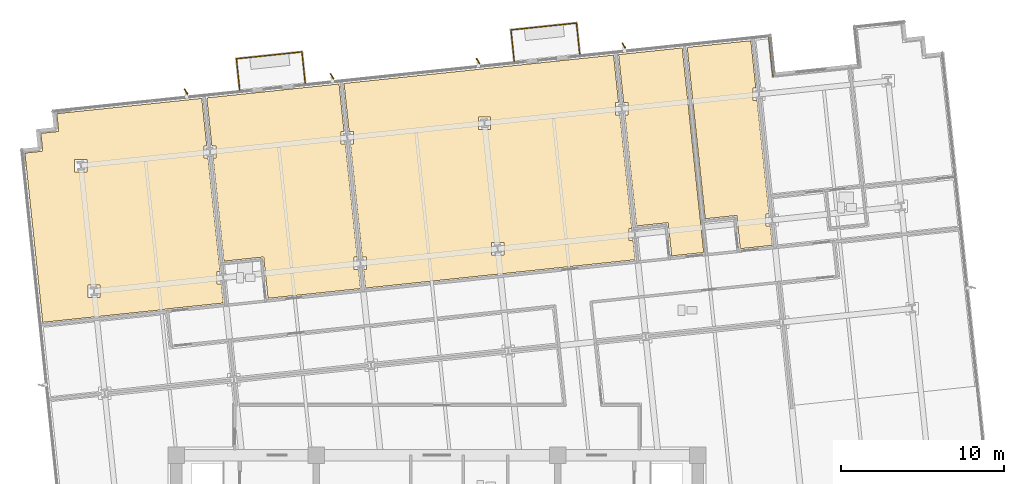
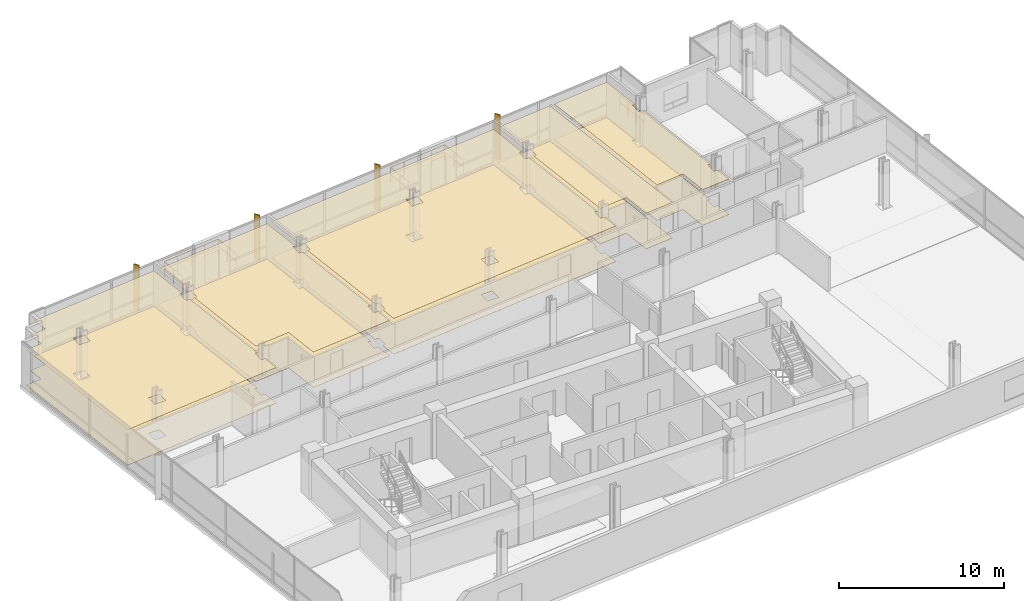
# One storey, part 19 of 21: 10 coverings, 7 railings, 4 shading devices.
"""IFC4 building model written with IfcOpenShell, lengths in metres."""

from ifc_helpers import new_model, si_unit, direction, frame, origin, origin_2d, place, context, subcontext, project, spatial, polyline, rectangle, circle, outline, extrude, material, layer, layer_set, type_object, element, save


model = new_model("IFC4")

# Units and contexts
model_context = context("Model", 3, precision=1e-05, world=origin(), true_north=direction((0.0, 1.0)))
body_context = subcontext(model_context, "Body", "Model", "MODEL_VIEW")
ifc_project = project(units=[si_unit("LENGTHUNIT", "METRE"), si_unit("AREAUNIT", "SQUARE_METRE"), si_unit("VOLUMEUNIT", "CUBIC_METRE"), si_unit("PLANEANGLEUNIT", "RADIAN"), si_unit("MASSUNIT", "GRAM", prefix="KILO")], contexts=[model_context])

# Site, building, storey
site_placement = place(None, origin())
site = spatial("IfcSite", under=ifc_project, at=site_placement, CompositionType="ELEMENT")
building_placement = place(site_placement, origin())
building = spatial("IfcBuilding", under=site, at=building_placement, Name="Solmavex Isthmus Hotel", CompositionType="ELEMENT")
storey_placement = place(building_placement, frame((0.0, 0.0, 113.25)))
storey = spatial("IfcBuildingStorey", under=building, at=storey_placement, Name="L30", CompositionType="ELEMENT", Elevation=113.25)

# Coverings
ifc_material_1 = material(Name="Gypsum plasterboard lining", Category="gypsum")
ifc_layer_1 = layer(ifc_material_1, 0.030029296875)
ifc_layer_set_1 = layer_set([ifc_layer_1], Name="Gypsum plasterboard lining")
covering_type_1 = type_object("IfcCoveringType", Name="COV-CEIL-GYP", PredefinedType="CEILING", material=ifc_layer_set_1)
covering_1_placement = place(storey_placement, frame((0.0, 0.0, 2.6201171875)))
element("IfcCovering", 1, at=covering_1_placement, inside=storey, type_object=covering_type_1, Name="Suspended Acoustic Ceiling L30-RM01", PredefinedType="CEILING", context=body_context, shape_type="SweptSolid", body=[
    extrude(outline(polyline([(-16.688232421875, 6.43505859375), (-16.690185546875, 6.455078125), (-13.10986328125, 6.831298828125), (-13.23291015625, 8.002197265625), (-13.4970703125, 8.002197265625), (-13.4970703125, 8.76220703125), (-13.31298828125, 8.76220703125), (-14.043212890625, 15.711669921875), (-14.307373046875, 15.711669921875), (-14.307373046875, 16.4716796875), (-14.123291015625, 16.4716796875), (-14.42919921875, 19.38232421875), (-22.49755859375, 18.5341796875), (-23.318115234375, 18.447998046875), (-23.203125, 17.35400390625), (-24.297119140625, 17.239013671875), (-24.18212890625, 16.14501953125), (-25.276123046875, 16.030029296875), (-25.18994140625, 15.20947265625), (-24.184814453125, 5.647216796875), (-16.688232421875, 6.43505859375)]), holes=[polyline([(-21.42138671875, 7.169189453125), (-21.42138671875, 7.92919921875), (-20.661376953125, 7.92919921875), (-20.661376953125, 7.169189453125), (-21.42138671875, 7.169189453125)]), polyline([(-22.231689453125, 14.878662109375), (-22.231689453125, 15.638671875), (-21.4716796875, 15.638671875), (-21.4716796875, 14.878662109375), (-22.231689453125, 14.878662109375)])]), origin(), (0.0, 0.0, 1.0), 0.02978515625),
])
covering_2_placement = place(storey_placement, frame((0.0, 0.0, 2.6201171875)))
element("IfcCovering", 2, at=covering_2_placement, inside=storey, type_object=covering_type_1, Name="Suspended Acoustic Ceiling L30-RM02", PredefinedType="CEILING", context=body_context, shape_type="SweptSolid", body=[
    extrude(outline(polyline([(-13.8115234375, 16.4716796875), (-13.54736328125, 16.4716796875), (-13.54736328125, 15.711669921875), (-13.731689453125, 15.711669921875), (-13.068115234375, 9.39990234375), (-10.631591796875, 9.656005859375), (-10.364990234375, 7.119873046875), (-4.6904296875, 7.71630859375), (-4.8134765625, 8.886962890625), (-5.077392578125, 8.886962890625), (-5.077392578125, 9.64697265625), (-4.893310546875, 9.64697265625), (-5.623779296875, 16.5966796875), (-5.8876953125, 16.5966796875), (-5.8876953125, 17.356689453125), (-5.70361328125, 17.356689453125), (-6.009521484375, 20.26708984375), (-14.120849609375, 19.41455078125), (-13.927978515625, 17.5810546875), (-13.8115234375, 16.4716796875)])), origin(), (0.0, 0.0, 1.0), 0.02978515625),
])
covering_3_placement = place(storey_placement, frame((0.0, 0.0, 2.6201171875)))
element("IfcCovering", 3, at=covering_3_placement, inside=storey, type_object=covering_type_1, Name="Suspended Acoustic Ceiling L30-RM03", PredefinedType="CEILING", context=body_context, shape_type="SweptSolid", body=[
    extrude(outline(polyline([(-4.58154296875, 9.64697265625), (-4.3173828125, 9.64697265625), (-4.3173828125, 8.886962890625), (-4.501708984375, 8.886962890625), (-4.382080078125, 7.748779296875), (6.9794921875, 8.94287109375), (9.28173828125, 9.184814453125), (12.14892578125, 9.486083984375), (12.02587890625, 10.656982421875), (11.76171875, 10.656982421875), (11.76171875, 11.4169921875), (11.946044921875, 11.4169921875), (11.215576171875, 18.366455078125), (10.951416015625, 18.366455078125), (10.951416015625, 19.12646484375), (11.1357421875, 19.12646484375), (10.829833984375, 22.037109375), (-5.701171875, 20.299560546875), (-5.391845703125, 17.356689453125), (-5.127685546875, 17.356689453125), (-5.127685546875, 16.5966796875), (-5.31201171875, 16.5966796875), (-4.58154296875, 9.64697265625)]), holes=[polyline([(3.34228515625, 9.77197265625), (3.34228515625, 10.531982421875), (4.10205078125, 10.531982421875), (4.10205078125, 9.77197265625), (3.34228515625, 9.77197265625)]), polyline([(2.53173828125, 17.4814453125), (2.53173828125, 18.241455078125), (3.291748046875, 18.241455078125), (3.291748046875, 17.4814453125), (2.53173828125, 17.4814453125)])]), origin(), (0.0, 0.0, 1.0), 0.02978515625),
])
covering_4_placement = place(storey_placement, frame((0.0, 0.0, 2.6201171875)))
element("IfcCovering", 4, at=covering_4_placement, inside=storey, type_object=covering_type_1, Name="Suspended Acoustic Ceiling L30-RM04", PredefinedType="CEILING", context=body_context, shape_type="SweptSolid", body=[
    extrude(outline(polyline([(11.447509765625, 19.12646484375), (11.71142578125, 19.12646484375), (11.71142578125, 18.366455078125), (11.52734375, 18.366455078125), (11.71142578125, 16.614501953125), (12.242919921875, 11.557373046875), (14.179443359375, 11.760986328125), (14.393798828125, 9.72216796875), (16.358642578125, 9.9287109375), (15.03955078125, 22.4794921875), (11.13818359375, 22.0693359375), (11.447509765625, 19.12646484375)])), origin(), (0.0, 0.0, 1.0), 0.02978515625),
])
covering_5_placement = place(storey_placement, frame((0.0, 0.0, 2.6201171875)))
element("IfcCovering", 5, at=covering_5_placement, inside=storey, type_object=covering_type_1, Name="Suspended Acoustic Ceiling L30-RM05", PredefinedType="CEILING", context=body_context, shape_type="SweptSolid", body=[
    extrude(outline(polyline([(19.63525390625, 19.25146484375), (19.37109375, 19.25146484375), (19.37109375, 20.011474609375), (19.555419921875, 20.011474609375), (19.24951171875, 22.921875), (15.347900390625, 22.511962890625), (16.452880859375, 11.999755859375), (18.38916015625, 12.203369140625), (18.603515625, 10.16455078125), (20.568603515625, 10.37109375), (20.445556640625, 11.541748046875), (20.181396484375, 11.541748046875), (20.181396484375, 12.3017578125), (20.36572265625, 12.3017578125), (19.63525390625, 19.25146484375)])), origin(), (0.0, 0.0, 1.0), 0.02978515625),
])
ifc_material_2 = material(Name="Travertine natural stone", Category="masonry")
ifc_layer_2 = layer(ifc_material_2, 0.02490234375)
ifc_layer_set_2 = layer_set([ifc_layer_2], Name="Travertine natural stone")
covering_type_2 = type_object("IfcCoveringType", Name="COV-FLOR-STN", PredefinedType="FLOORING", material=ifc_layer_set_2)
covering_6_placement = place(storey_placement, origin())
element("IfcCovering", 6, at=covering_6_placement, inside=storey, type_object=covering_type_2, Name="Stone and Timber Floor Finish L30-RM01", PredefinedType="FLOORING", context=body_context, shape_type="SweptSolid", body=[
    extrude(outline(polyline([(-16.688232421875, 6.43505859375), (-16.690185546875, 6.455078125), (-13.10986328125, 6.831298828125), (-13.23291015625, 8.002197265625), (-13.4970703125, 8.002197265625), (-13.4970703125, 8.76220703125), (-13.31298828125, 8.76220703125), (-14.043212890625, 15.711669921875), (-14.307373046875, 15.711669921875), (-14.307373046875, 16.4716796875), (-14.123291015625, 16.4716796875), (-14.42919921875, 19.38232421875), (-22.49755859375, 18.5341796875), (-23.318115234375, 18.447998046875), (-23.203125, 17.35400390625), (-24.297119140625, 17.239013671875), (-24.18212890625, 16.14501953125), (-25.276123046875, 16.030029296875), (-25.18994140625, 15.20947265625), (-24.184814453125, 5.647216796875), (-16.688232421875, 6.43505859375)]), holes=[polyline([(-21.42138671875, 7.169189453125), (-21.42138671875, 7.92919921875), (-20.661376953125, 7.92919921875), (-20.661376953125, 7.169189453125), (-21.42138671875, 7.169189453125)]), polyline([(-22.231689453125, 14.878662109375), (-22.231689453125, 15.638671875), (-21.4716796875, 15.638671875), (-21.4716796875, 14.878662109375), (-22.231689453125, 14.878662109375)])]), origin(), (0.0, 0.0, 1.0), 0.02490234375),
])
covering_7_placement = place(storey_placement, origin())
element("IfcCovering", 7, at=covering_7_placement, inside=storey, type_object=covering_type_2, Name="Stone and Timber Floor Finish L30-RM02", PredefinedType="FLOORING", context=body_context, shape_type="SweptSolid", body=[
    extrude(outline(polyline([(-13.8115234375, 16.4716796875), (-13.54736328125, 16.4716796875), (-13.54736328125, 15.711669921875), (-13.731689453125, 15.711669921875), (-13.068115234375, 9.39990234375), (-10.631591796875, 9.656005859375), (-10.364990234375, 7.119873046875), (-4.6904296875, 7.71630859375), (-4.8134765625, 8.886962890625), (-5.077392578125, 8.886962890625), (-5.077392578125, 9.64697265625), (-4.893310546875, 9.64697265625), (-5.623779296875, 16.5966796875), (-5.8876953125, 16.5966796875), (-5.8876953125, 17.356689453125), (-5.70361328125, 17.356689453125), (-6.009521484375, 20.26708984375), (-14.120849609375, 19.41455078125), (-13.927978515625, 17.5810546875), (-13.8115234375, 16.4716796875)])), origin(), (0.0, 0.0, 1.0), 0.02490234375),
])
covering_8_placement = place(storey_placement, origin())
element("IfcCovering", 8, at=covering_8_placement, inside=storey, type_object=covering_type_2, Name="Stone and Timber Floor Finish L30-RM03", PredefinedType="FLOORING", context=body_context, shape_type="SweptSolid", body=[
    extrude(outline(polyline([(-4.58154296875, 9.64697265625), (-4.3173828125, 9.64697265625), (-4.3173828125, 8.886962890625), (-4.501708984375, 8.886962890625), (-4.382080078125, 7.748779296875), (6.9794921875, 8.94287109375), (9.28173828125, 9.184814453125), (12.14892578125, 9.486083984375), (12.02587890625, 10.656982421875), (11.76171875, 10.656982421875), (11.76171875, 11.4169921875), (11.946044921875, 11.4169921875), (11.215576171875, 18.366455078125), (10.951416015625, 18.366455078125), (10.951416015625, 19.12646484375), (11.1357421875, 19.12646484375), (10.829833984375, 22.037109375), (-5.701171875, 20.299560546875), (-5.391845703125, 17.356689453125), (-5.127685546875, 17.356689453125), (-5.127685546875, 16.5966796875), (-5.31201171875, 16.5966796875), (-4.58154296875, 9.64697265625)]), holes=[polyline([(3.34228515625, 9.77197265625), (3.34228515625, 10.531982421875), (4.10205078125, 10.531982421875), (4.10205078125, 9.77197265625), (3.34228515625, 9.77197265625)]), polyline([(2.53173828125, 17.4814453125), (2.53173828125, 18.241455078125), (3.291748046875, 18.241455078125), (3.291748046875, 17.4814453125), (2.53173828125, 17.4814453125)])]), origin(), (0.0, 0.0, 1.0), 0.02490234375),
])
covering_9_placement = place(storey_placement, origin())
element("IfcCovering", 9, at=covering_9_placement, inside=storey, type_object=covering_type_2, Name="Stone and Timber Floor Finish L30-RM04", PredefinedType="FLOORING", context=body_context, shape_type="SweptSolid", body=[
    extrude(outline(polyline([(11.447509765625, 19.12646484375), (11.71142578125, 19.12646484375), (11.71142578125, 18.366455078125), (11.52734375, 18.366455078125), (11.71142578125, 16.614501953125), (12.242919921875, 11.557373046875), (14.179443359375, 11.760986328125), (14.393798828125, 9.72216796875), (16.358642578125, 9.9287109375), (15.03955078125, 22.4794921875), (11.13818359375, 22.0693359375), (11.447509765625, 19.12646484375)])), origin(), (0.0, 0.0, 1.0), 0.02490234375),
])
covering_10_placement = place(storey_placement, origin())
element("IfcCovering", 10, at=covering_10_placement, inside=storey, type_object=covering_type_2, Name="Stone and Timber Floor Finish L30-RM05", PredefinedType="FLOORING", context=body_context, shape_type="SweptSolid", body=[
    extrude(outline(polyline([(19.63525390625, 19.25146484375), (19.37109375, 19.25146484375), (19.37109375, 20.011474609375), (19.555419921875, 20.011474609375), (19.24951171875, 22.921875), (15.347900390625, 22.511962890625), (16.452880859375, 11.999755859375), (18.38916015625, 12.203369140625), (18.603515625, 10.16455078125), (20.568603515625, 10.37109375), (20.445556640625, 11.541748046875), (20.181396484375, 11.541748046875), (20.181396484375, 12.3017578125), (20.36572265625, 12.3017578125), (19.63525390625, 19.25146484375)])), origin(), (0.0, 0.0, 1.0), 0.02490234375),
])

# Railings
ifc_material_3 = material(Name="Clear low-E laminated glass", Category="glass")
ifc_layer_3 = layer(ifc_material_3, 0.080078125)
ifc_layer_set_3 = layer_set([ifc_layer_3], Name="Clear low-E laminated glass")
railing_type_1 = type_object("IfcRailingType", Name="RAIL-ATRIUM-1120", PredefinedType="BALUSTRADE", material=ifc_layer_set_3)
railing_1_placement = place(storey_placement, frame((20.345947265625, 23.2333984375, 0.0)))
element("IfcRailing", 11, at=railing_1_placement, inside=storey, type_object=railing_type_1, Name="Guardrail Balustrade L30-SGV-01", PredefinedType="BALUSTRADE", context=body_context, shape_type="SweptSolid", body=[
    extrude(circle(Radius=0.02392578125, at=origin_2d()), frame((0.0, 0.0, 1.1259765625), z_axis=(0.104528455675, -0.994521896166, 0.0), x_axis=(0.994521896166, 0.104528455675, 0.0)), (0.0, 0.0, 1.0), 2.520263671875),
    extrude(circle(Radius=0.02392578125, at=origin_2d()), frame((0.0, 0.0, 0.574951171875), z_axis=(0.104528455675, -0.994521896166, 0.0), x_axis=(0.994521896166, 0.104528455675, 0.0)), (0.0, 0.0, 1.0), 2.520263671875),
    extrude(circle(Radius=0.02099609375, at=origin_2d()), origin(), (0.0, 0.0, 1.0), 1.101806640625),
    extrude(circle(Radius=0.02099609375, at=origin_2d()), frame((0.087890625, -0.83544921875, 0.0)), (0.0, 0.0, 1.0), 1.101806640625),
    extrude(circle(Radius=0.02099609375, at=origin_2d()), frame((0.175537109375, -1.6708984375, 0.0)), (0.0, 0.0, 1.0), 1.101806640625),
    extrude(circle(Radius=0.02099609375, at=origin_2d()), frame((0.263427734375, -2.50634765625, 0.0)), (0.0, 0.0, 1.0), 1.101806640625),
])
ifc_layer_4 = layer(ifc_material_3, 0.070068359375)
ifc_layer_set_4 = layer_set([ifc_layer_4], Name="Clear low-E laminated glass")
railing_type_2 = type_object("IfcRailingType", Name="RAIL-GUARD-1100", PredefinedType="BALUSTRADE", material=ifc_layer_set_4)
railing_2_placement = place(storey_placement, frame((-12.102783203125, 19.9033203125, 0.0)))
element("IfcRailing", 12, at=railing_2_placement, inside=storey, type_object=railing_type_2, Name="Guardrail Balustrade L30-BAL1-01", PredefinedType="BALUSTRADE", context=body_context, shape_type="SweptSolid", body=[
    extrude(circle(Radius=0.02392578125, at=origin_2d()), frame((0.0, 0.0, 1.09619140625), z_axis=(-0.104525919671, 0.994522162708, 0.0), x_axis=(-0.994522162708, -0.104525919671, 0.0)), (0.0, 0.0, 1.0), 1.919921875),
    extrude(circle(Radius=0.02392578125, at=origin_2d()), frame((0.0, 0.0, 0.56005859375), z_axis=(-0.104525919671, 0.994522162708, 0.0), x_axis=(-0.994522162708, -0.104525919671, 0.0)), (0.0, 0.0, 1.0), 1.919921875),
    extrude(circle(Radius=0.02099609375, at=origin_2d()), origin(), (0.0, 0.0, 1.0), 1.072021484375),
    extrude(circle(Radius=0.02099609375, at=origin_2d()), frame((-0.100341796875, 0.95458984375, 0.0)), (0.0, 0.0, 1.0), 1.072021484375),
    extrude(circle(Radius=0.02099609375, at=origin_2d()), frame((-0.20068359375, 1.909423828125, 0.0)), (0.0, 0.0, 1.0), 1.072021484375),
])
railing_3_placement = place(storey_placement, frame((-12.303466796875, 21.812744140625, 0.0)))
element("IfcRailing", 13, at=railing_3_placement, inside=storey, type_object=railing_type_2, Name="Guardrail Balustrade L30-BAL1-02", PredefinedType="BALUSTRADE", context=body_context, shape_type="SweptSolid", body=[
    extrude(circle(Radius=0.02392578125, at=origin_2d()), frame((0.0, 0.0, 1.09619140625), z_axis=(0.994520013058, 0.104546370699, 0.0), x_axis=(-0.104546370699, 0.994520013058, 0.0)), (0.0, 0.0, 1.0), 4.0400390625),
    extrude(circle(Radius=0.02392578125, at=origin_2d()), frame((0.0, 0.0, 0.56005859375), z_axis=(0.994520013058, 0.104546370699, 0.0), x_axis=(-0.104546370699, 0.994520013058, 0.0)), (0.0, 0.0, 1.0), 4.0400390625),
    extrude(circle(Radius=0.02099609375, at=origin_2d()), origin(), (0.0, 0.0, 1.0), 1.072021484375),
    extrude(circle(Radius=0.02099609375, at=origin_2d()), frame((1.00439453125, 0.10546875, 0.0)), (0.0, 0.0, 1.0), 1.072021484375),
    extrude(circle(Radius=0.02099609375, at=origin_2d()), frame((2.0087890625, 0.211181640625, 0.0)), (0.0, 0.0, 1.0), 1.072021484375),
    extrude(circle(Radius=0.02099609375, at=origin_2d()), frame((3.013427734375, 0.31689453125, 0.0)), (0.0, 0.0, 1.0), 1.072021484375),
    extrude(circle(Radius=0.02099609375, at=origin_2d()), frame((4.017822265625, 0.42236328125, 0.0)), (0.0, 0.0, 1.0), 1.072021484375),
])
railing_4_placement = place(storey_placement, frame((-8.28564453125, 22.235107421875, 0.0)))
element("IfcRailing", 14, at=railing_4_placement, inside=storey, type_object=railing_type_2, Name="Guardrail Balustrade L30-BAL1-03", PredefinedType="BALUSTRADE", context=body_context, shape_type="SweptSolid", body=[
    extrude(circle(Radius=0.02392578125, at=origin_2d()), frame((0.0, 0.0, 1.09619140625), z_axis=(0.104512702575, -0.994523551758, 0.0), x_axis=(0.994523551758, 0.104512702575, 0.0)), (0.0, 0.0, 1.0), 1.920166015625),
    extrude(circle(Radius=0.02392578125, at=origin_2d()), frame((0.0, 0.0, 0.56005859375), z_axis=(0.104512702575, -0.994523551758, 0.0), x_axis=(0.994523551758, 0.104512702575, 0.0)), (0.0, 0.0, 1.0), 1.920166015625),
    extrude(circle(Radius=0.02099609375, at=origin_2d()), origin(), (0.0, 0.0, 1.0), 1.072021484375),
    extrude(circle(Radius=0.02099609375, at=origin_2d()), frame((0.100341796875, -0.954833984375, 0.0)), (0.0, 0.0, 1.0), 1.072021484375),
    extrude(circle(Radius=0.02099609375, at=origin_2d()), frame((0.20068359375, -1.90966796875, 0.0)), (0.0, 0.0, 1.0), 1.072021484375),
])
railing_5_placement = place(storey_placement, frame((4.736328125, 21.673095703125, 0.0)))
element("IfcRailing", 15, at=railing_5_placement, inside=storey, type_object=railing_type_2, Name="Guardrail Balustrade L30-BAL2-01", PredefinedType="BALUSTRADE", context=body_context, shape_type="SweptSolid", body=[
    extrude(circle(Radius=0.02392578125, at=origin_2d()), frame((0.0, 0.0, 1.09619140625), z_axis=(-0.104525919671, 0.994522162708, 0.0), x_axis=(-0.994522162708, -0.104525919671, 0.0)), (0.0, 0.0, 1.0), 1.919921875),
    extrude(circle(Radius=0.02392578125, at=origin_2d()), frame((0.0, 0.0, 0.56005859375), z_axis=(-0.104525919671, 0.994522162708, 0.0), x_axis=(-0.994522162708, -0.104525919671, 0.0)), (0.0, 0.0, 1.0), 1.919921875),
    extrude(circle(Radius=0.02099609375, at=origin_2d()), origin(), (0.0, 0.0, 1.0), 1.072021484375),
    extrude(circle(Radius=0.02099609375, at=origin_2d()), frame((-0.100341796875, 0.95458984375, 0.0)), (0.0, 0.0, 1.0), 1.072021484375),
    extrude(circle(Radius=0.02099609375, at=origin_2d()), frame((-0.20068359375, 1.909423828125, 0.0)), (0.0, 0.0, 1.0), 1.072021484375),
])
railing_6_placement = place(storey_placement, frame((4.53564453125, 23.58251953125, 0.0)))
element("IfcRailing", 16, at=railing_6_placement, inside=storey, type_object=railing_type_2, Name="Guardrail Balustrade L30-BAL2-02", PredefinedType="BALUSTRADE", context=body_context, shape_type="SweptSolid", body=[
    extrude(circle(Radius=0.02392578125, at=origin_2d()), frame((0.0, 0.0, 1.09619140625), z_axis=(0.994520673511, 0.10454008781, 0.0), x_axis=(-0.10454008781, 0.994520673511, 0.0)), (0.0, 0.0, 1.0), 4.040283203125),
    extrude(circle(Radius=0.02392578125, at=origin_2d()), frame((0.0, 0.0, 0.56005859375), z_axis=(0.994520673511, 0.10454008781, 0.0), x_axis=(-0.10454008781, 0.994520673511, 0.0)), (0.0, 0.0, 1.0), 4.040283203125),
    extrude(circle(Radius=0.02099609375, at=origin_2d()), origin(), (0.0, 0.0, 1.0), 1.072021484375),
    extrude(circle(Radius=0.02099609375, at=origin_2d()), frame((1.00439453125, 0.10546875, 0.0)), (0.0, 0.0, 1.0), 1.072021484375),
    extrude(circle(Radius=0.02099609375, at=origin_2d()), frame((2.009033203125, 0.211181640625, 0.0)), (0.0, 0.0, 1.0), 1.072021484375),
    extrude(circle(Radius=0.02099609375, at=origin_2d()), frame((3.013671875, 0.31689453125, 0.0)), (0.0, 0.0, 1.0), 1.072021484375),
    extrude(circle(Radius=0.02099609375, at=origin_2d()), frame((4.01806640625, 0.42236328125, 0.0)), (0.0, 0.0, 1.0), 1.072021484375),
])
railing_7_placement = place(storey_placement, frame((8.5537109375, 24.0048828125, 0.0)))
element("IfcRailing", 17, at=railing_7_placement, inside=storey, type_object=railing_type_2, Name="Guardrail Balustrade L30-BAL2-03", PredefinedType="BALUSTRADE", context=body_context, shape_type="SweptSolid", body=[
    extrude(circle(Radius=0.02392578125, at=origin_2d()), frame((0.0, 0.0, 1.09619140625), z_axis=(0.104525919671, -0.994522162708, 0.0), x_axis=(0.994522162708, 0.104525919671, 0.0)), (0.0, 0.0, 1.0), 1.919921875),
    extrude(circle(Radius=0.02392578125, at=origin_2d()), frame((0.0, 0.0, 0.56005859375), z_axis=(0.104525919671, -0.994522162708, 0.0), x_axis=(0.994522162708, 0.104525919671, 0.0)), (0.0, 0.0, 1.0), 1.919921875),
    extrude(circle(Radius=0.02099609375, at=origin_2d()), origin(), (0.0, 0.0, 1.0), 1.072021484375),
    extrude(circle(Radius=0.02099609375, at=origin_2d()), frame((0.100341796875, -0.95458984375, 0.0)), (0.0, 0.0, 1.0), 1.072021484375),
    extrude(circle(Radius=0.02099609375, at=origin_2d()), frame((0.20068359375, -1.909423828125, 0.0)), (0.0, 0.0, 1.0), 1.072021484375),
])

# Shading devices
ifc_material_4 = material(Name="Aluminium alloy 6063-T6", Category="aluminium")
shading_device_type = type_object("IfcShadingDeviceType", Name="SHD-FIN-CHAMP", PredefinedType="USERDEFINED", material=ifc_material_4)
for number, where, z_axis, x_axis, name in (
    (18, (-15.390869140625, 19.799072265625, -0.14013671875), (0.0, 0.0, 1.0), (-0.529919264233, 0.848048096156, 0.0), "Anodised Aluminium Solar Fin L30-N1"),
    (19, (-6.440185546875, 20.73974609375, -0.14013671875), (0.0, 0.0, 1.0), (-0.529919264233, 0.848048096156, 0.0), "Anodised Aluminium Solar Fin L30-N2"),
    (20, (2.510498046875, 21.680419921875, -0.14013671875), (0.0, 0.0, 1.0), (-0.529919264233, 0.848048096156, 0.0), "Anodised Aluminium Solar Fin L30-N3"),
    (21, (11.461181640625, 22.621337890625, -0.14013671875), (0.0, 0.0, 1.0), (-0.529919264233, 0.848048096156, 0.0), "Anodised Aluminium Solar Fin L30-N4"),
):
    element("IfcShadingDevice", number, at=place(storey_placement, frame(where, z_axis=z_axis, x_axis=x_axis)), inside=storey, type_object=shading_device_type, Name=name, ObjectType="SOLAR_FIN", PredefinedType="USERDEFINED", context=body_context, shape_type="SweptSolid", body=[
        extrude(rectangle(XDim=0.3798828125, YDim=0.070068359375, at=origin_2d()), origin(), (0.0, 0.0, 1.0), 3.330078125),
    ])

save(model, "model.ifc")
